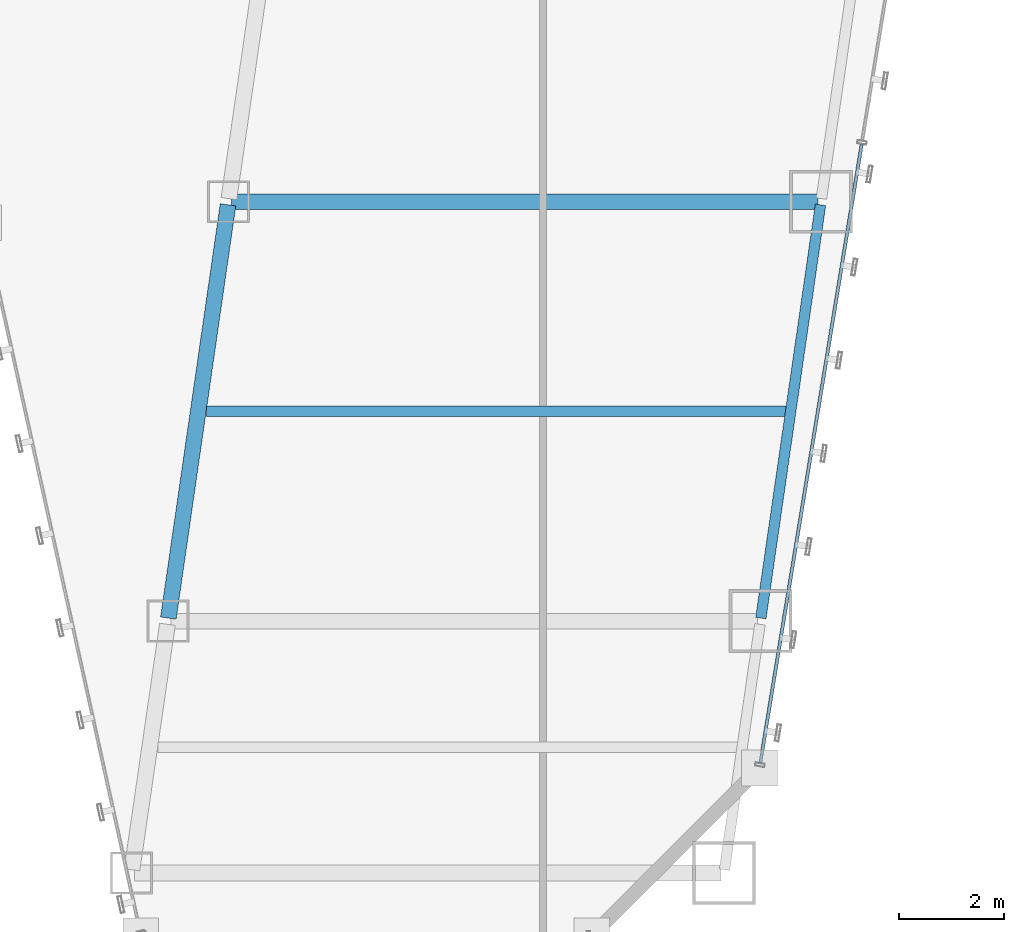
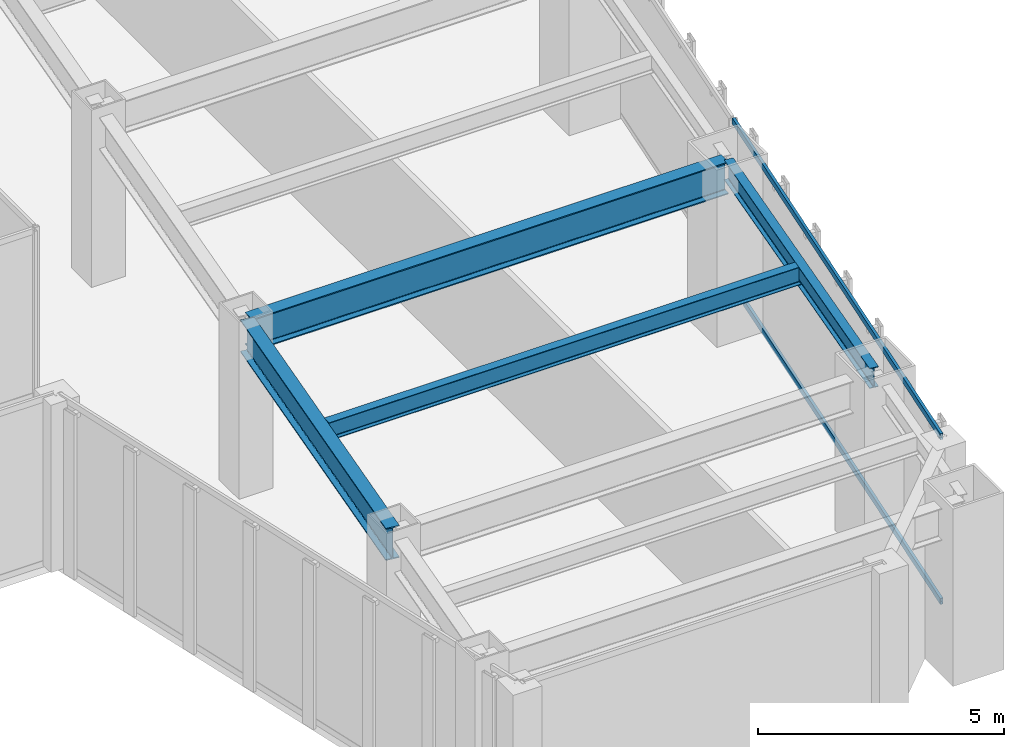
# One storey, part 16 of 47: 4 beams, 2 members, 1 element without a shape of its own.
"""IFC4 building model written with IfcOpenShell, lengths in metres."""

from ifc_helpers import new_model, si_unit, direction, frame, origin, origin_2d, place, context, subcontext, project, spatial, hollow_rectangle, i_section, extrude, material, material_profile, profile_set, type_object, element, aggregate, save


model = new_model("IFC4")

# Units and contexts
model_context = context("Model", 3, precision=1e-05, world=origin(), true_north=direction((0.0, 1.0)))
body_context = subcontext(model_context, "Body", "Model", "MODEL_VIEW")
ifc_project = project(units=[si_unit("LENGTHUNIT", "METRE"), si_unit("AREAUNIT", "SQUARE_METRE"), si_unit("VOLUMEUNIT", "CUBIC_METRE"), si_unit("PLANEANGLEUNIT", "RADIAN"), si_unit("MASSUNIT", "GRAM", prefix="KILO")], contexts=[model_context])

# Site, building, storey
site_placement = place(None, origin())
site = spatial("IfcSite", under=ifc_project, at=site_placement, CompositionType="ELEMENT")
building_placement = place(site_placement, origin())
building = spatial("IfcBuilding", under=site, at=building_placement, Name="Saevonmaru Cultural Tower", CompositionType="ELEMENT")
storey_placement = place(building_placement, frame((0.0, 0.0, 47.199951171875)))
storey = spatial("IfcBuildingStorey", under=building, at=storey_placement, Name="L09", CompositionType="ELEMENT", Elevation=47.199951171875)

# Beams
ifc_material_1 = material(Name="Steel SM420", Category="steel")
ifc_material_profile_1 = material_profile(ifc_material_1, i_section(OverallWidth=0.300048828125, OverallDepth=0.800048828125, WebThickness=0.013916015625, FlangeThickness=0.02587890625, FilletRadius=0.028076171875, at=origin_2d()), Name="H-800x300x14x26")
ifc_profile_set_1 = profile_set([ifc_material_profile_1], Name="Steel SM420")
beam_type_1 = type_object("IfcBeamType", Name="BM-G-H800", PredefinedType="BEAM", material=ifc_profile_set_1)
beam_1_placement = place(storey_placement, frame((36.925537109375, 8.059326171875, 3.75), z_axis=(0.142902032203, 0.989736838353, 0.0), x_axis=(-0.989736838353, 0.142902032203, 0.0)))
element("IfcBeam", 1, at=beam_1_placement, inside=storey, type_object=beam_type_1, Name="L09 East Atrium Girder 2", PredefinedType="BEAM", context=body_context, shape_type="SweptSolid", body=[
    extrude(i_section(OverallWidth=0.300048828125, OverallDepth=0.800048828125, WebThickness=0.013916015625, FlangeThickness=0.02587890625, FilletRadius=0.028076171875, at=origin_2d()), origin(), (0.0, 0.0, 1.0), 7.963134765625),
])
beam_2_placement = place(storey_placement, frame((38.132080078125, 16.0, 3.75), z_axis=(1.0, 0.0, 0.0), x_axis=(0.0, 1.0, 0.0)))
element("IfcBeam", 2, at=beam_2_placement, inside=storey, type_object=beam_type_1, Name="L09 East Wing Transverse Girder 3", PredefinedType="BEAM", context=body_context, shape_type="SweptSolid", body=[
    extrude(i_section(OverallWidth=0.300048828125, OverallDepth=0.800048828125, WebThickness=0.013916015625, FlangeThickness=0.02587890625, FilletRadius=0.028076171875, at=origin_2d()), origin(), (0.0, 0.0, 1.0), 11.179931640625),
])
ifc_material_2 = material(Name="Steel SM355", Category="steel")
ifc_material_profile_2 = material_profile(ifc_material_2, i_section(OverallWidth=0.199951171875, OverallDepth=0.449951171875, WebThickness=0.009033203125, FlangeThickness=0.013916015625, FilletRadius=0.01806640625, at=origin_2d()), Name="H-450x200x9x14")
ifc_profile_set_2 = profile_set([ifc_material_profile_2], Name="Steel SM355")
beam_type_2 = type_object("IfcBeamType", Name="BM-J-H450", PredefinedType="JOIST", material=ifc_profile_set_2)
beam_3_placement = place(storey_placement, frame((37.652587890625, 12.0, 3.925048828125), z_axis=(1.0, 0.0, 0.0), x_axis=(0.0, 1.0, 0.0)))
element("IfcBeam", 3, at=beam_3_placement, inside=storey, type_object=beam_type_2, Name="L09 East Wing Floor Joist 2", PredefinedType="JOIST", context=body_context, shape_type="SweptSolid", body=[
    extrude(i_section(OverallWidth=0.199951171875, OverallDepth=0.449951171875, WebThickness=0.009033203125, FlangeThickness=0.013916015625, FilletRadius=0.01806640625, at=origin_2d()), origin(), (0.0, 0.0, 1.0), 11.08203125),
])
ifc_material_profile_3 = material_profile(ifc_material_2, i_section(OverallWidth=0.199951171875, OverallDepth=0.5, WebThickness=0.010009765625, FlangeThickness=0.01611328125, FilletRadius=0.02001953125, at=origin_2d()), Name="H-500x200x10x16")
ifc_profile_set_3 = profile_set([ifc_material_profile_3], Name="Steel SM355")
beam_type_3 = type_object("IfcBeamType", Name="BM-SP-H500", PredefinedType="SPANDREL", material=ifc_profile_set_3)
beam_4_placement = place(storey_placement, frame((48.2255859375, 8.059326171875, 3.900146484375), z_axis=(0.142871999001, 0.989741174197, 0.0), x_axis=(-0.989741174197, 0.142871999001, 0.0)))
element("IfcBeam", 4, at=beam_4_placement, inside=storey, type_object=beam_type_3, Name="L09 East Splayed Spandrel 2", PredefinedType="SPANDREL", context=body_context, shape_type="SweptSolid", body=[
    extrude(i_section(OverallWidth=0.199951171875, OverallDepth=0.5, WebThickness=0.010009765625, FlangeThickness=0.01611328125, FilletRadius=0.02001953125, at=origin_2d()), origin(), (0.0, 0.0, 1.0), 7.963134765625),
])

# Curtain wall, members
ifc_material_3 = material(Name="Satin Bronze Anodised Aluminium", Category="aluminium")
curtain_wall_type = type_object("IfcCurtainWallType", Name="CW-TYP-A", PredefinedType="NOTDEFINED", material=ifc_material_3)
curtain_wall_placement = place(storey_placement, origin())
curtain_wall = element("IfcCurtainWall", 5, at=curtain_wall_placement, inside=storey, type_object=curtain_wall_type, Name="L09 Unitised Curtain Wall E8", PredefinedType="NOTDEFINED")
ifc_material_profile_4 = material_profile(ifc_material_3, hollow_rectangle(XDim=0.06494140625, YDim=0.14990234375, WallThickness=0.00390625, at=origin_2d()), Name="ALU-TRAN-150x65x4")
ifc_profile_set_4 = profile_set([ifc_material_profile_4], Name="Satin Bronze Anodised Aluminium")
member_type = type_object("IfcMemberType", Name="TR-CW-150x65", PredefinedType="USERDEFINED", material=ifc_profile_set_4)
member_1_placement = place(storey_placement, frame((48.21484375, 5.291259765625, 0.032470703125), z_axis=(0.161724530373, 0.986835941925, 0.0), x_axis=(-0.986835941925, 0.161724530373, 0.0)))
member_1 = element("IfcMember", 6, at=member_1_placement, type_object=member_type, Name="CW-TW-L09-E8 transom 1.1", ObjectType="TRANSOM", PredefinedType="USERDEFINED", context=body_context, shape_type="SweptSolid", body=[
    extrude(hollow_rectangle(XDim=0.06494140625, YDim=0.14990234375, WallThickness=0.00390625, at=origin_2d()), origin(), (0.0, 0.0, 1.0), 11.963623046875),
])
member_2_placement = place(storey_placement, frame((48.21484375, 5.291259765625, 4.117431640625), z_axis=(0.161724530373, 0.986835941925, 0.0), x_axis=(-0.986835941925, 0.161724530373, 0.0)))
member_2 = element("IfcMember", 7, at=member_2_placement, type_object=member_type, Name="CW-TW-L09-E8 transom 1.2", ObjectType="TRANSOM", PredefinedType="USERDEFINED", context=body_context, shape_type="SweptSolid", body=[
    extrude(hollow_rectangle(XDim=0.06494140625, YDim=0.14990234375, WallThickness=0.00390625, at=origin_2d()), origin(), (0.0, 0.0, 1.0), 11.963623046875),
])
aggregate(curtain_wall, [member_1, member_2])

save(model, "model.ifc")
